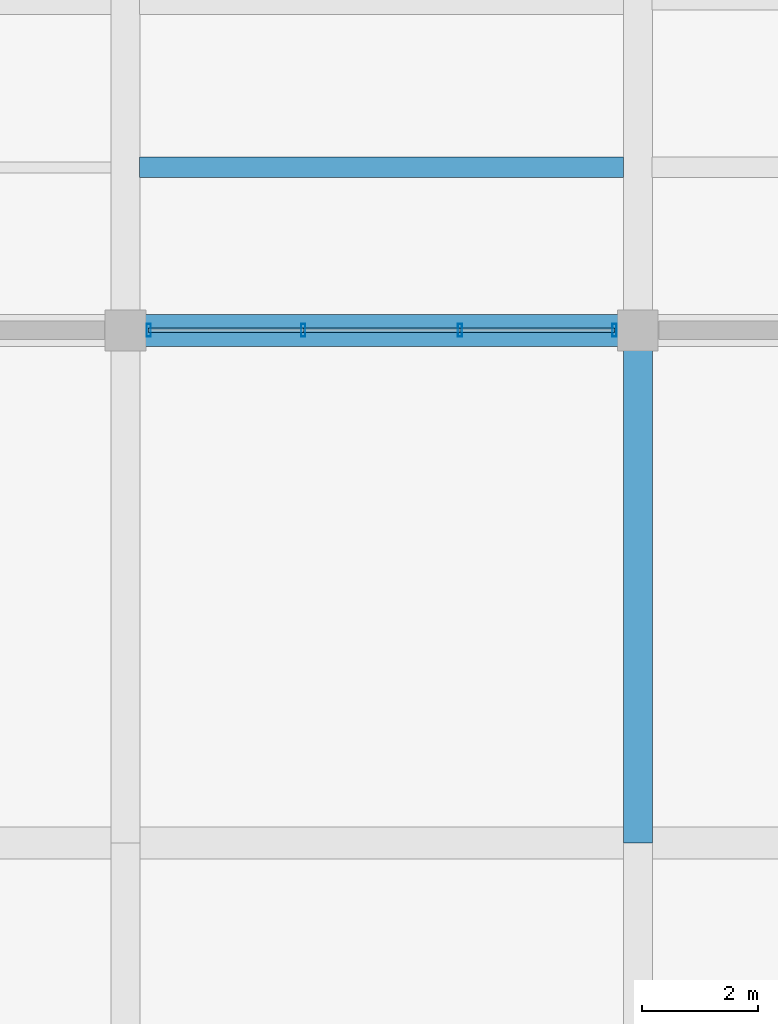
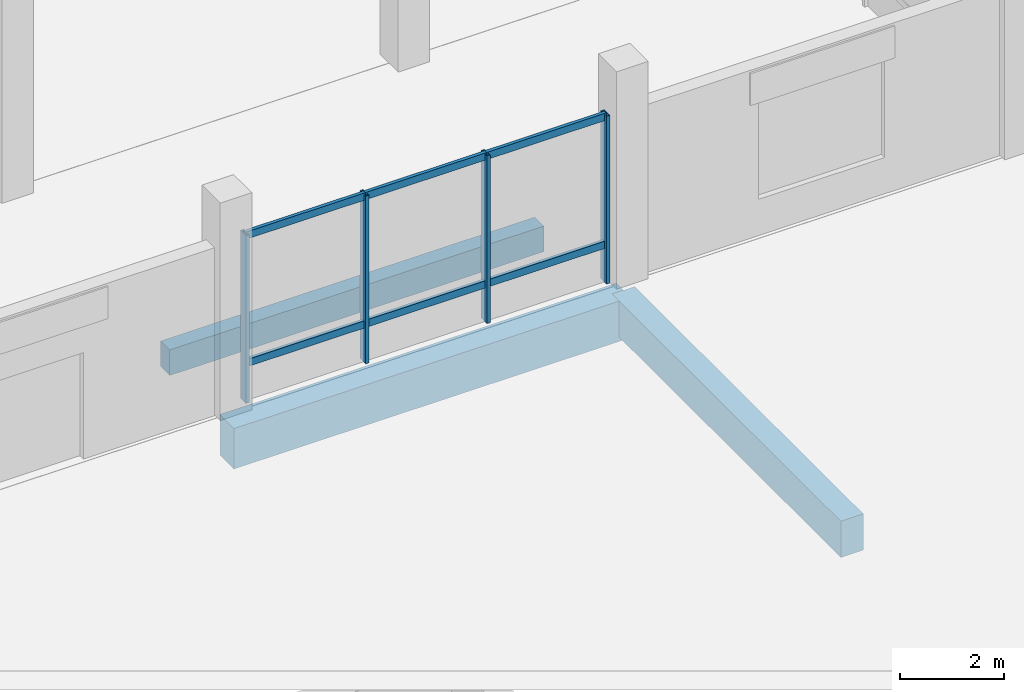
# One storey, part 44 of 73: 10 members, 3 beams, 1 element without a shape of its own.
"""IFC4 building model written with IfcOpenShell, lengths in metres."""

from ifc_helpers import new_model, si_unit, direction, frame, origin, origin_2d, place, context, subcontext, project, spatial, rectangle, hollow_rectangle, extrude, material, layer, layer_set, material_profile, profile_set, type_object, element, aggregate, save


model = new_model("IFC4")

# Units and contexts
model_context = context("Model", 3, precision=1e-05, world=origin(), true_north=direction((0.0, 1.0)))
body_context = subcontext(model_context, "Body", "Model", "MODEL_VIEW")
ifc_project = project(units=[si_unit("LENGTHUNIT", "METRE"), si_unit("AREAUNIT", "SQUARE_METRE"), si_unit("VOLUMEUNIT", "CUBIC_METRE"), si_unit("PLANEANGLEUNIT", "RADIAN"), si_unit("MASSUNIT", "GRAM", prefix="KILO")], contexts=[model_context])

# Site, building, storey
site_placement = place(None, origin())
site = spatial("IfcSite", under=ifc_project, at=site_placement, CompositionType="ELEMENT")
building_placement = place(site_placement, origin())
building = spatial("IfcBuilding", under=site, at=building_placement, Name="Meriwether Solvik Hall", CompositionType="ELEMENT")
storey_placement = place(building_placement, origin())
storey = spatial("IfcBuildingStorey", under=building, at=storey_placement, Name="L00", CompositionType="ELEMENT", Elevation=0.0)

# Beams
ifc_material_1 = material(Name="Concrete C40/50", Category="concrete")
ifc_material_profile_1 = material_profile(ifc_material_1, rectangle(XDim=0.35009765625, YDim=0.60009765625, at=origin_2d()), Name="RCB-350X600")
ifc_profile_set_1 = profile_set([ifc_material_profile_1], Name="Concrete C40/50")
beam_type_1 = type_object("IfcBeamType", Name="BM-RC-350X600", PredefinedType="JOIST", material=ifc_profile_set_1)
beam_1_placement = place(storey_placement, frame((149.64501953125, 52.800048828125, -0.659912109375), z_axis=(1.0, 0.0, 0.0), x_axis=(0.0, 1.0, 0.0)))
element("IfcBeam", 1, at=beam_1_placement, inside=storey, type_object=beam_type_1, Name="Secondary Floor Joist 17/F_J1 (L00)", PredefinedType="JOIST", context=body_context, shape_type="SweptSolid", body=[
    extrude(rectangle(XDim=0.35009765625, YDim=0.60009765625, at=origin_2d()), origin(), (0.0, 0.0, 1.0), 8.31005859375),
])
ifc_material_2 = material(Name="Concrete C40/50", Category="concrete")
ifc_material_profile_2 = material_profile(ifc_material_2, rectangle(XDim=0.5, YDim=0.85009765625, at=origin_2d()), Name="RCB-500X850")
ifc_profile_set_2 = profile_set([ifc_material_profile_2], Name="Concrete C40/50")
beam_type_2 = type_object("IfcBeamType", Name="BM-RC-500X850", PredefinedType="BEAM", material=ifc_profile_set_2)
beam_2_placement = place(storey_placement, frame((158.199951171875, 41.199951171875, -0.784912109375), z_axis=(0.0, 1.0, 0.0), x_axis=(-1.0, 0.0, 0.0)))
element("IfcBeam", 2, at=beam_2_placement, inside=storey, type_object=beam_type_2, Name="Podium Girder 18:E-F (L00)", PredefinedType="BEAM", context=body_context, shape_type="SweptSolid", body=[
    extrude(rectangle(XDim=0.5, YDim=0.85009765625, at=origin_2d()), origin(), (0.0, 0.0, 1.0), 8.800048828125),
])
ifc_material_3 = material(Name="Concrete C40/50", Category="concrete")
ifc_material_profile_3 = material_profile(ifc_material_3, rectangle(XDim=0.550048828125, YDim=0.949951171875, at=origin_2d()), Name="RCB-550X950")
ifc_profile_set_3 = profile_set([ifc_material_profile_3], Name="Concrete C40/50")
beam_type_3 = type_object("IfcBeamType", Name="BM-RC-550X950", PredefinedType="BEAM", material=ifc_profile_set_3)
beam_3_placement = place(storey_placement, frame((149.39990234375, 50.0, -0.8349609375), z_axis=(1.0, 0.0, 0.0), x_axis=(0.0, 1.0, 0.0)))
element("IfcBeam", 3, at=beam_3_placement, inside=storey, type_object=beam_type_3, Name="Podium Girder F:17-18 (L00)", PredefinedType="BEAM", context=body_context, shape_type="SweptSolid", body=[
    extrude(rectangle(XDim=0.550048828125, YDim=0.949951171875, at=origin_2d()), origin(), (0.0, 0.0, 1.0), 8.800048828125),
])

# Curtain wall, members
ifc_material_4 = material(Name="Thermally Broken Anodised Aluminium 6063-T6 and Low-E Glass", Category="aluminium")
ifc_layer = layer(ifc_material_4, 0.179931640625)
ifc_layer_set = layer_set([ifc_layer], Name="Thermally Broken Anodised Aluminium 6063-T6 and Low-E Glass")
curtain_wall_type = type_object("IfcCurtainWallType", Name="CW-SF-POD-A", PredefinedType="USERDEFINED", material=ifc_layer_set)
curtain_wall_placement = place(storey_placement, origin())
curtain_wall = element("IfcCurtainWall", 4, at=curtain_wall_placement, inside=storey, type_object=curtain_wall_type, Name="Curtain Wall wing_XF_17_16 (L00)", ObjectType="STICK STOREFRONT GLAZING", PredefinedType="USERDEFINED")
ifc_material_5 = material(Name="Anodised Aluminium 6063-T6", Category="aluminium")
ifc_material_profile_4 = material_profile(ifc_material_5, hollow_rectangle(XDim=0.074951171875, YDim=0.219970703125, WallThickness=0.005615234375, at=origin_2d()), Name="CWM-75X220")
ifc_profile_set_4 = profile_set([ifc_material_profile_4], Name="Anodised Aluminium 6063-T6")
member_type_1 = type_object("IfcMemberType", Name="CW-MUL-75X220", PredefinedType="MULLION", material=ifc_profile_set_4)
member_1_placement = place(storey_placement, frame((157.800048828125, 50.0, 0.0), z_axis=(0.0, 0.0, 1.0), x_axis=(-1.0, 0.0, 0.0)))
member_1 = element("IfcMember", 5, at=member_1_placement, type_object=member_type_1, Name="Curtain Wall Mullion 1", PredefinedType="MULLION", context=body_context, shape_type="SweptSolid", body=[
    extrude(hollow_rectangle(XDim=0.074951171875, YDim=0.219970703125, WallThickness=0.005615234375, at=origin_2d()), origin(), (0.0, 0.0, 1.0), 3.93994140625),
])
member_2_placement = place(storey_placement, frame((155.14599609375, 50.0, 0.0), z_axis=(0.0, 0.0, 1.0), x_axis=(-1.0, 0.0, 0.0)))
member_2 = element("IfcMember", 6, at=member_2_placement, type_object=member_type_1, Name="Curtain Wall Mullion 2", PredefinedType="MULLION", context=body_context, shape_type="SweptSolid", body=[
    extrude(hollow_rectangle(XDim=0.074951171875, YDim=0.219970703125, WallThickness=0.005615234375, at=origin_2d()), origin(), (0.0, 0.0, 1.0), 3.93994140625),
])
member_3_placement = place(storey_placement, frame((152.4541015625, 50.0, 0.0), z_axis=(0.0, 0.0, 1.0), x_axis=(-1.0, 0.0, 0.0)))
member_3 = element("IfcMember", 7, at=member_3_placement, type_object=member_type_1, Name="Curtain Wall Mullion 3", PredefinedType="MULLION", context=body_context, shape_type="SweptSolid", body=[
    extrude(hollow_rectangle(XDim=0.074951171875, YDim=0.219970703125, WallThickness=0.005615234375, at=origin_2d()), origin(), (0.0, 0.0, 1.0), 3.93994140625),
])
member_4_placement = place(storey_placement, frame((149.800048828125, 50.0, 0.0), z_axis=(0.0, 0.0, 1.0), x_axis=(-1.0, 0.0, 0.0)))
member_4 = element("IfcMember", 8, at=member_4_placement, type_object=member_type_1, Name="Curtain Wall Mullion 4", PredefinedType="MULLION", context=body_context, shape_type="SweptSolid", body=[
    extrude(hollow_rectangle(XDim=0.074951171875, YDim=0.219970703125, WallThickness=0.005615234375, at=origin_2d()), origin(), (0.0, 0.0, 1.0), 3.93994140625),
])
ifc_material_6 = material(Name="Anodised Aluminium 6063-T6", Category="aluminium")
ifc_material_profile_5 = material_profile(ifc_material_6, hollow_rectangle(XDim=0.074951171875, YDim=0.169921875, WallThickness=0.005615234375, at=origin_2d()), Name="CWT-75X170")
ifc_profile_set_5 = profile_set([ifc_material_profile_5], Name="Anodised Aluminium 6063-T6")
member_type_2 = type_object("IfcMemberType", Name="CW-TRN-75X170", PredefinedType="USERDEFINED", material=ifc_profile_set_5)
member_5_placement = place(storey_placement, frame((157.800048828125, 50.0, 0.8798828125), z_axis=(-1.0, 0.0, 0.0), x_axis=(0.0, -1.0, 0.0)))
member_5 = element("IfcMember", 9, at=member_5_placement, type_object=member_type_2, Name="Curtain Wall Transom 1-sill", ObjectType="TRANSOM", PredefinedType="USERDEFINED", context=body_context, shape_type="SweptSolid", body=[
    extrude(hollow_rectangle(XDim=0.074951171875, YDim=0.169921875, WallThickness=0.005615234375, at=origin_2d()), origin(), (0.0, 0.0, 1.0), 2.654052734375),
])
member_6_placement = place(storey_placement, frame((157.800048828125, 50.0, 3.8798828125), z_axis=(-1.0, 0.0, 0.0), x_axis=(0.0, -1.0, 0.0)))
member_6 = element("IfcMember", 10, at=member_6_placement, type_object=member_type_2, Name="Curtain Wall Transom 1-head", ObjectType="TRANSOM", PredefinedType="USERDEFINED", context=body_context, shape_type="SweptSolid", body=[
    extrude(hollow_rectangle(XDim=0.074951171875, YDim=0.169921875, WallThickness=0.005615234375, at=origin_2d()), origin(), (0.0, 0.0, 1.0), 2.654052734375),
])
member_7_placement = place(storey_placement, frame((155.14599609375, 50.0, 0.8798828125), z_axis=(-1.0, 0.0, 0.0), x_axis=(0.0, -1.0, 0.0)))
member_7 = element("IfcMember", 11, at=member_7_placement, type_object=member_type_2, Name="Curtain Wall Transom 2-sill", ObjectType="TRANSOM", PredefinedType="USERDEFINED", context=body_context, shape_type="SweptSolid", body=[
    extrude(hollow_rectangle(XDim=0.074951171875, YDim=0.169921875, WallThickness=0.005615234375, at=origin_2d()), origin(), (0.0, 0.0, 1.0), 2.69189453125),
])
member_8_placement = place(storey_placement, frame((155.14599609375, 50.0, 3.8798828125), z_axis=(-1.0, 0.0, 0.0), x_axis=(0.0, -1.0, 0.0)))
member_8 = element("IfcMember", 12, at=member_8_placement, type_object=member_type_2, Name="Curtain Wall Transom 2-head", ObjectType="TRANSOM", PredefinedType="USERDEFINED", context=body_context, shape_type="SweptSolid", body=[
    extrude(hollow_rectangle(XDim=0.074951171875, YDim=0.169921875, WallThickness=0.005615234375, at=origin_2d()), origin(), (0.0, 0.0, 1.0), 2.69189453125),
])
member_9_placement = place(storey_placement, frame((152.4541015625, 50.0, 0.8798828125), z_axis=(-1.0, 0.0, 0.0), x_axis=(0.0, -1.0, 0.0)))
member_9 = element("IfcMember", 13, at=member_9_placement, type_object=member_type_2, Name="Curtain Wall Transom 3-sill", ObjectType="TRANSOM", PredefinedType="USERDEFINED", context=body_context, shape_type="SweptSolid", body=[
    extrude(hollow_rectangle(XDim=0.074951171875, YDim=0.169921875, WallThickness=0.005615234375, at=origin_2d()), origin(), (0.0, 0.0, 1.0), 2.654052734375),
])
member_10_placement = place(storey_placement, frame((152.4541015625, 50.0, 3.8798828125), z_axis=(-1.0, 0.0, 0.0), x_axis=(0.0, -1.0, 0.0)))
member_10 = element("IfcMember", 14, at=member_10_placement, type_object=member_type_2, Name="Curtain Wall Transom 3-head", ObjectType="TRANSOM", PredefinedType="USERDEFINED", context=body_context, shape_type="SweptSolid", body=[
    extrude(hollow_rectangle(XDim=0.074951171875, YDim=0.169921875, WallThickness=0.005615234375, at=origin_2d()), origin(), (0.0, 0.0, 1.0), 2.654052734375),
])
aggregate(curtain_wall, [member_1, member_2, member_3, member_4, member_5, member_6, member_7, member_8, member_9, member_10])

save(model, "model.ifc")
